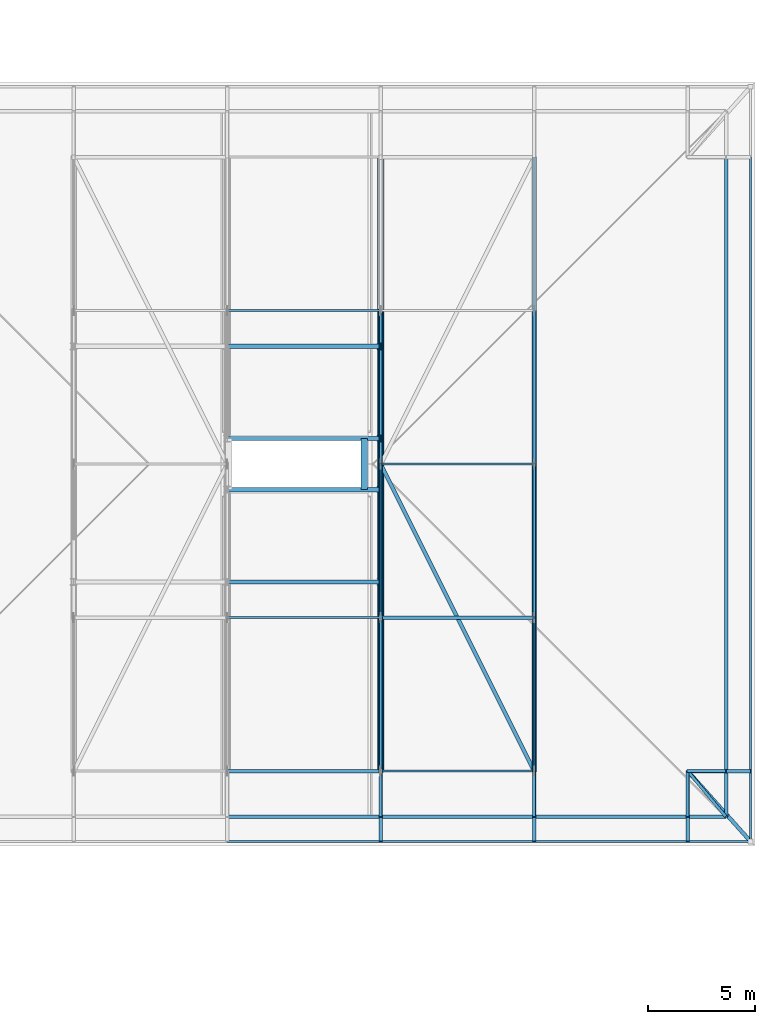
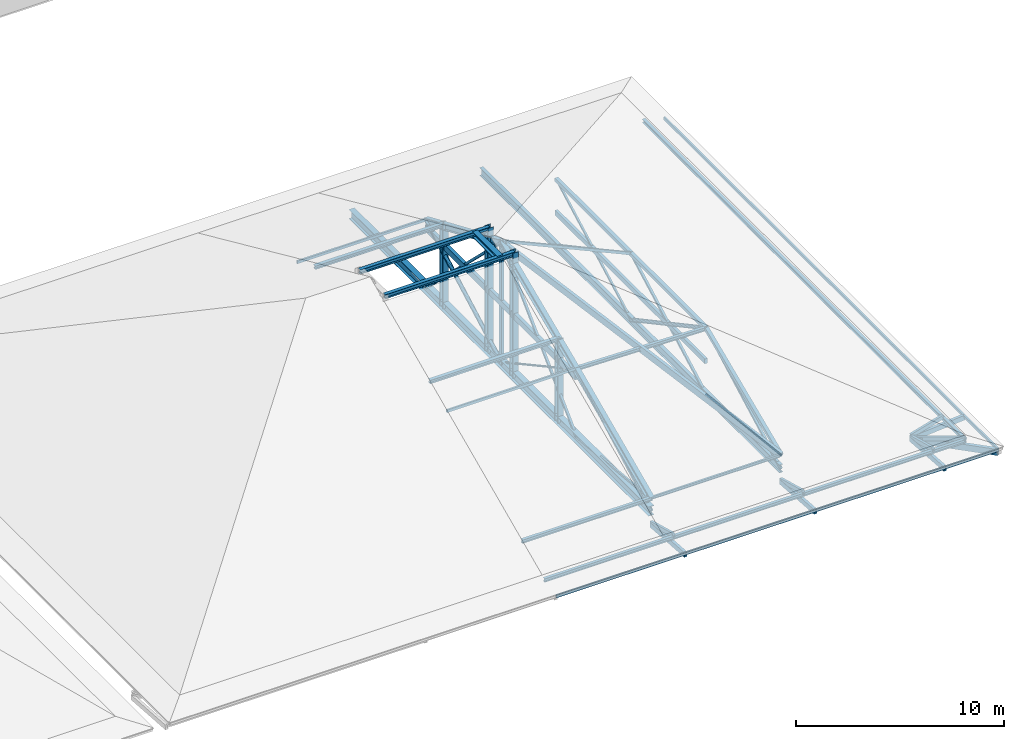
# One storey, part 36 of 100: 55 members, 6 beams.
"""IFC4 building model written with IfcOpenShell, lengths in metres."""

from ifc_helpers import new_model, si_unit, direction, frame, origin, origin_2d, place, context, subcontext, project, spatial, rectangle, hollow_rectangle, hollow_circle, i_section, extrude, material, material_profile, profile_set, type_object, element, save


model = new_model("IFC4")

# Units and contexts
model_context = context("Model", 3, precision=1e-05, world=origin(), true_north=direction((0.0, 1.0)))
body_context = subcontext(model_context, "Body", "Model", "MODEL_VIEW")
ifc_project = project(units=[si_unit("LENGTHUNIT", "METRE"), si_unit("AREAUNIT", "SQUARE_METRE"), si_unit("VOLUMEUNIT", "CUBIC_METRE"), si_unit("PLANEANGLEUNIT", "RADIAN"), si_unit("MASSUNIT", "GRAM", prefix="KILO")], contexts=[model_context])

# Site, building, storey
site_placement = place(None, origin())
site = spatial("IfcSite", under=ifc_project, at=site_placement, CompositionType="ELEMENT")
building_placement = place(site_placement, origin())
building = spatial("IfcBuilding", under=site, at=building_placement, Name="Steenspoor Specialist Clinic", CompositionType="ELEMENT")
storey_placement = place(building_placement, frame((0.0, 0.0, 9.0)))
storey = spatial("IfcBuildingStorey", under=building, at=storey_placement, Name="L02", CompositionType="ELEMENT", Elevation=9.0)

# Beams
ifc_material_1 = material(Name="Steel A992 Grade 50", Category="steel")
ifc_material_profile_1 = material_profile(ifc_material_1, i_section(OverallWidth=0.2041015625, OverallDepth=0.2060546875, WebThickness=0.0078125, FlangeThickness=0.0126953125, at=origin_2d()), Name="W200X52")
ifc_profile_set_1 = profile_set([ifc_material_profile_1], Name="Steel A992 Grade 50")
beam_type_1 = type_object("IfcBeamType", Name="BM-ST-W200X52", PredefinedType="JOIST", material=ifc_profile_set_1)
for number, where, z_axis, x_axis, name in (
    (1, (139.60009765625, 21.924072265625, 5.035400390625), (1.0, 0.0, 0.0), (0.0, 1.0, 0.0), "Roof Sub-Facet Bearer V2 M S"),
    (2, (139.60009765625, 32.97607421875, 5.035400390625), (1.0, 0.0, 0.0), (0.0, 1.0, 0.0), "Roof Sub-Facet Bearer V2 M N"),
):
    element("IfcBeam", number, at=place(storey_placement, frame(where, z_axis=z_axis, x_axis=x_axis)), inside=storey, type_object=beam_type_1, Name=name, PredefinedType="JOIST", context=body_context, shape_type="SweptSolid", body=[
        extrude(i_section(OverallWidth=0.2041015625, OverallDepth=0.2060546875, WebThickness=0.0078125, FlangeThickness=0.0126953125, at=origin_2d()), origin(), (0.0, 0.0, 1.0), 7.199951171875),
    ])
ifc_material_profile_2 = material_profile(ifc_material_1, i_section(OverallWidth=0.202880859375, OverallDepth=0.251953125, WebThickness=0.008056640625, FlangeThickness=0.013427734375, at=origin_2d()), Name="W250X58")
ifc_profile_set_2 = profile_set([ifc_material_profile_2], Name="Steel A992 Grade 50")
beam_type_2 = type_object("IfcBeamType", Name="BM-ST-W250X58", PredefinedType="JOIST", material=ifc_profile_set_2)
for number, where, z_axis, x_axis, name in (
    (3, (139.60009765625, 26.25, 7.4140625), (1.0, 0.0, 0.0), (0.0, 1.0, 0.0), "Roof Curb Trimmer Beam V2 1"),
    (4, (139.60009765625, 28.64990234375, 7.4140625), (1.0, 0.0, 0.0), (0.0, 1.0, 0.0), "Roof Curb Trimmer Beam V2 2"),
):
    element("IfcBeam", number, at=place(storey_placement, frame(where, z_axis=z_axis, x_axis=x_axis)), inside=storey, type_object=beam_type_2, Name=name, PredefinedType="JOIST", context=body_context, shape_type="SweptSolid", body=[
        extrude(i_section(OverallWidth=0.202880859375, OverallDepth=0.251953125, WebThickness=0.008056640625, FlangeThickness=0.013427734375, at=origin_2d()), origin(), (0.0, 0.0, 1.0), 7.199951171875),
    ])
ifc_material_profile_3 = material_profile(ifc_material_1, i_section(OverallWidth=0.193115234375, OverallDepth=0.466064453125, WebThickness=0.011474609375, FlangeThickness=0.01904296875, at=origin_2d()), Name="W460X97")
ifc_profile_set_3 = profile_set([ifc_material_profile_3], Name="Steel A992 Grade 50")
beam_type_3 = type_object("IfcBeamType", Name="BM-ST-W460X97", PredefinedType="BEAM", material=ifc_profile_set_3)
beam_1_placement = place(storey_placement, frame((154.0, 13.050048828125, 0.2529296875), z_axis=(0.0, 1.0, 0.0), x_axis=(-1.0, 0.0, 0.0)))
element("IfcBeam", 5, at=beam_1_placement, inside=storey, type_object=beam_type_3, Name="ROOF TRUSS Bottom Tie Chord V2 6", PredefinedType="BEAM", context=body_context, shape_type="SweptSolid", body=[
    extrude(i_section(OverallWidth=0.193115234375, OverallDepth=0.466064453125, WebThickness=0.011474609375, FlangeThickness=0.01904296875, at=origin_2d()), origin(), (0.0, 0.0, 1.0), 28.800048828125),
])
ifc_material_profile_4 = material_profile(ifc_material_1, i_section(OverallWidth=0.31201171875, OverallDepth=0.54296875, WebThickness=0.0126953125, FlangeThickness=0.020263671875, at=origin_2d()), Name="W530X150")
ifc_profile_set_4 = profile_set([ifc_material_profile_4], Name="Steel A992 Grade 50")
beam_type_4 = type_object("IfcBeamType", Name="BM-ST-W530X150", PredefinedType="BEAM", material=ifc_profile_set_4)
beam_2_placement = place(storey_placement, frame((146.800048828125, 13.050048828125, 0.29150390625), z_axis=(0.0, 1.0, 0.0), x_axis=(-1.0, 0.0, 0.0)))
element("IfcBeam", 6, at=beam_2_placement, inside=storey, type_object=beam_type_4, Name="ROOF TRUSS Bottom Tie Chord V2 5", PredefinedType="BEAM", context=body_context, shape_type="SweptSolid", body=[
    extrude(i_section(OverallWidth=0.31201171875, OverallDepth=0.54296875, WebThickness=0.0126953125, FlangeThickness=0.020263671875, at=origin_2d()), origin(), (0.0, 0.0, 1.0), 28.800048828125),
])

# Members
ifc_material_2 = material(Name="Steel A500 Grade C", Category="steel")
ifc_material_profile_5 = material_profile(ifc_material_2, hollow_circle(Radius=0.084228515625, WallThickness=0.007080078125, at=origin_2d()), Name="CHS168X7.1")
ifc_profile_set_5 = profile_set([ifc_material_profile_5], Name="Steel A500 Grade C")
member_type_1 = type_object("IfcMemberType", Name="MEM-BRACE-CHS168", PredefinedType="BRACE", material=ifc_profile_set_5)
member_1_placement = place(storey_placement, frame((154.0, 27.449951171875, 4.133056640625), z_axis=(0.0, 0.880306187088, -0.474405962205), x_axis=(-1.0, 0.0, 0.0)))
element("IfcMember", 7, at=member_1_placement, inside=storey, type_object=member_type_1, Name="ROOF TRUSS Web Brace V2 6.3", PredefinedType="BRACE", context=body_context, shape_type="SweptSolid", body=[
    extrude(hollow_circle(Radius=0.084228515625, WallThickness=0.007080078125, at=origin_2d()), origin(), (0.0, 0.0, 1.0), 8.178955078125),
])
ifc_material_profile_6 = material_profile(ifc_material_2, hollow_rectangle(XDim=0.126953125, YDim=0.126953125, WallThickness=0.0087890625, at=origin_2d()), Name="HSS127X127X9.5")
ifc_profile_set_6 = profile_set([ifc_material_profile_6], Name="Steel A500 Grade C")
member_type_2 = type_object("IfcMemberType", Name="MEM-BRACE-H127A", PredefinedType="BRACE", material=ifc_profile_set_6)
member_2_placement = place(storey_placement, frame((146.800048828125, 20.25, 0.29150390625), z_axis=(0.0, 0.716215270375, 0.697879421162), x_axis=(-1.0, 0.0, 0.0)))
element("IfcMember", 8, at=member_2_placement, inside=storey, type_object=member_type_2, Name="ROOF TRUSS Web Brace V2 5.2", PredefinedType="BRACE", context=body_context, shape_type="SweptSolid", body=[
    extrude(hollow_rectangle(XDim=0.126953125, YDim=0.126953125, WallThickness=0.0087890625, at=origin_2d()), origin(), (0.0, 0.0, 1.0), 10.052734375),
])
member_3_placement = place(storey_placement, frame((154.0, 13.050048828125, 0.2529296875), z_axis=(0.0, 0.880306187088, 0.474405962205), x_axis=(-1.0, 0.0, 0.0)))
element("IfcMember", 9, at=member_3_placement, inside=storey, type_object=member_type_2, Name="ROOF TRUSS Web Brace V2 6.1", PredefinedType="BRACE", context=body_context, shape_type="SweptSolid", body=[
    extrude(hollow_rectangle(XDim=0.126953125, YDim=0.126953125, WallThickness=0.0087890625, at=origin_2d()), origin(), (0.0, 0.0, 1.0), 8.178955078125),
])
ifc_material_profile_7 = material_profile(ifc_material_2, hollow_rectangle(XDim=0.126953125, YDim=0.126953125, WallThickness=0.005859375, at=origin_2d()), Name="HSS127X127X6.4")
ifc_profile_set_7 = profile_set([ifc_material_profile_7], Name="Steel A500 Grade C")
member_type_3 = type_object("IfcMemberType", Name="MEM-BRACE-H127B", PredefinedType="BRACE", material=ifc_profile_set_7)
member_4_placement = place(storey_placement, frame((146.800048828125, 27.449951171875, 7.30712890625), z_axis=(0.0, 0.716215270375, -0.697879421162), x_axis=(-1.0, 0.0, 0.0)))
element("IfcMember", 10, at=member_4_placement, inside=storey, type_object=member_type_3, Name="ROOF TRUSS Web Brace V2 5.3", PredefinedType="BRACE", context=body_context, shape_type="SweptSolid", body=[
    extrude(hollow_rectangle(XDim=0.126953125, YDim=0.126953125, WallThickness=0.005859375, at=origin_2d()), origin(), (0.0, 0.0, 1.0), 10.052734375),
])
member_5_placement = place(storey_placement, frame((154.0, 20.25, 0.2529296875), z_axis=(0.0, 0.880306187088, 0.474405962205), x_axis=(-1.0, 0.0, 0.0)))
element("IfcMember", 11, at=member_5_placement, inside=storey, type_object=member_type_3, Name="ROOF TRUSS Web Brace V2 6.2", PredefinedType="BRACE", context=body_context, shape_type="SweptSolid", body=[
    extrude(hollow_rectangle(XDim=0.126953125, YDim=0.126953125, WallThickness=0.005859375, at=origin_2d()), origin(), (0.0, 0.0, 1.0), 8.178955078125),
])
ifc_material_profile_8 = material_profile(ifc_material_2, hollow_rectangle(XDim=0.15234375, YDim=0.15234375, WallThickness=0.0087890625, at=origin_2d()), Name="HSS152X152X9.5")
ifc_profile_set_8 = profile_set([ifc_material_profile_8], Name="Steel A500 Grade C")
member_type_4 = type_object("IfcMemberType", Name="MEM-BRACE-H152", PredefinedType="BRACE", material=ifc_profile_set_8)
member_6_placement = place(storey_placement, frame((146.800048828125, 13.050048828125, 0.29150390625), z_axis=(0.0, 0.877933113951, 0.478783299029), x_axis=(-1.0, 0.0, 0.0)))
element("IfcMember", 12, at=member_6_placement, inside=storey, type_object=member_type_4, Name="ROOF TRUSS Web Brace V2 5.1", PredefinedType="BRACE", context=body_context, shape_type="SweptSolid", body=[
    extrude(hollow_rectangle(XDim=0.15234375, YDim=0.15234375, WallThickness=0.0087890625, at=origin_2d()), origin(), (0.0, 0.0, 1.0), 8.200927734375),
])
ifc_material_profile_9 = material_profile(ifc_material_2, hollow_rectangle(XDim=0.203125, YDim=0.203125, WallThickness=0.01171875, at=origin_2d()), Name="HSS203X203X12.7")
ifc_profile_set_9 = profile_set([ifc_material_profile_9], Name="Steel A500 Grade C")
member_type_5 = type_object("IfcMemberType", Name="MEM-CHORD-H203", PredefinedType="CHORD", material=ifc_profile_set_9)
member_7_placement = place(storey_placement, frame((154.0, 13.050048828125, 1.0439453125), z_axis=(0.0, 0.918986999003, 0.394287833522), x_axis=(-1.0, 0.0, 0.0)))
element("IfcMember", 13, at=member_7_placement, inside=storey, type_object=member_type_5, Name="ROOF TRUSS Top Chord V2 6.1", PredefinedType="CHORD", context=body_context, shape_type="SweptSolid", body=[
    extrude(hollow_rectangle(XDim=0.203125, YDim=0.203125, WallThickness=0.01171875, at=origin_2d()), origin(), (0.0, 0.0, 1.0), 7.834716796875),
])
for number, where, z_axis, x_axis, name in (
    (14, (154.0, 20.25, 4.133056640625), (0.0, 1.0, 0.0), (-1.0, 0.0, 0.0), "ROOF TRUSS Top Chord V2 6.2"),
    (15, (154.0, 27.449951171875, 4.133056640625), (0.0, 1.0, 0.0), (-1.0, 0.0, 0.0), "ROOF TRUSS Top Chord V2 6.3"),
):
    element("IfcMember", number, at=place(storey_placement, frame(where, z_axis=z_axis, x_axis=x_axis)), inside=storey, type_object=member_type_5, Name=name, PredefinedType="CHORD", context=body_context, shape_type="SweptSolid", body=[
        extrude(hollow_rectangle(XDim=0.203125, YDim=0.203125, WallThickness=0.01171875, at=origin_2d()), origin(), (0.0, 0.0, 1.0), 7.199951171875),
    ])
ifc_material_profile_10 = material_profile(ifc_material_1, i_section(OverallWidth=0.304931640625, OverallDepth=0.30810546875, WebThickness=0.010009765625, FlangeThickness=0.015380859375, at=origin_2d()), Name="W310X97")
ifc_profile_set_10 = profile_set([ifc_material_profile_10], Name="Steel A992 Grade 50")
member_type_6 = type_object("IfcMemberType", Name="MEM-CHORD-W310", PredefinedType="CHORD", material=ifc_profile_set_10)
for number, where, z_axis, x_axis, name in (
    (16, (146.800048828125, 26.25, 0.199951171875), (0.0, 0.0, 1.0), (1.0, 0.0, 0.0), "ROOF TRUSS Web Post Curb V2 1R"),
    (17, (146.800048828125, 28.64990234375, 0.199951171875), (0.0, 0.0, 1.0), (1.0, 0.0, 0.0), "ROOF TRUSS Web Post Curb V2 2R"),
):
    element("IfcMember", number, at=place(storey_placement, frame(where, z_axis=z_axis, x_axis=x_axis)), inside=storey, type_object=member_type_6, Name=name, PredefinedType="CHORD", context=body_context, shape_type="SweptSolid", body=[
        extrude(i_section(OverallWidth=0.304931640625, OverallDepth=0.30810546875, WebThickness=0.010009765625, FlangeThickness=0.015380859375, at=origin_2d()), origin(), (0.0, 0.0, 1.0), 7.333984375),
    ])
member_8_placement = place(storey_placement, frame((146.02001953125, 26.25, 7.385986328125), z_axis=(0.0, 1.0, 0.0), x_axis=(-1.0, 0.0, 0.0)))
element("IfcMember", 18, at=member_8_placement, inside=storey, type_object=member_type_6, Name="ROOF TRUSS Curb Cross Chord V2 2", PredefinedType="CHORD", context=body_context, shape_type="SweptSolid", body=[
    extrude(i_section(OverallWidth=0.304931640625, OverallDepth=0.30810546875, WebThickness=0.010009765625, FlangeThickness=0.015380859375, at=origin_2d()), origin(), (0.0, 0.0, 1.0), 2.39990234375),
])
for number, where, z_axis, x_axis, name in (
    (19, (146.800048828125, 21.924072265625, 0.179931640625), (0.0, 0.0, 1.0), (1.0, 0.0, 0.0), "ROOF TRUSS Web Post Sub-Facet V2 MSR"),
    (20, (146.800048828125, 32.97607421875, 0.179931640625), (0.0, 0.0, 1.0), (1.0, 0.0, 0.0), "ROOF TRUSS Web Post Sub-Facet V2 MNR"),
):
    element("IfcMember", number, at=place(storey_placement, frame(where, z_axis=z_axis, x_axis=x_axis)), inside=storey, type_object=member_type_6, Name=name, PredefinedType="CHORD", context=body_context, shape_type="SweptSolid", body=[
        extrude(i_section(OverallWidth=0.304931640625, OverallDepth=0.30810546875, WebThickness=0.010009765625, FlangeThickness=0.015380859375, at=origin_2d()), origin(), (0.0, 0.0, 1.0), 4.935546875),
    ])
ifc_material_profile_11 = material_profile(ifc_material_1, i_section(OverallWidth=0.257080078125, OverallDepth=0.363037109375, WebThickness=0.012939453125, FlangeThickness=0.021728515625, at=origin_2d()), Name="W360X122")
ifc_profile_set_11 = profile_set([ifc_material_profile_11], Name="Steel A992 Grade 50")
member_type_7 = type_object("IfcMemberType", Name="MEM-CHORD-W360", PredefinedType="CHORD", material=ifc_profile_set_11)
member_9_placement = place(storey_placement, frame((146.800048828125, 13.050048828125, 0.97119140625), z_axis=(0.0, 0.911596750852, 0.411085591861), x_axis=(-1.0, 0.0, 0.0)))
element("IfcMember", 21, at=member_9_placement, inside=storey, type_object=member_type_7, Name="ROOF TRUSS Top Chord V2 5.1", PredefinedType="CHORD", context=body_context, shape_type="SweptSolid", body=[
    extrude(i_section(OverallWidth=0.257080078125, OverallDepth=0.363037109375, WebThickness=0.012939453125, FlangeThickness=0.021728515625, at=origin_2d()), origin(), (0.0, 0.0, 1.0), 7.898193359375),
])
for number, where, z_axis, x_axis, name in (
    (22, (146.800048828125, 20.25, 4.218017578125), (0.0, 0.918986999003, 0.394287833522), (-1.0, 0.0, 0.0), "ROOF TRUSS Top Chord V2 5.2"),
    (23, (146.800048828125, 27.449951171875, 7.30712890625), (0.0, 0.918986999003, -0.394287833522), (-1.0, 0.0, 0.0), "ROOF TRUSS Top Chord V2 5.3"),
):
    element("IfcMember", number, at=place(storey_placement, frame(where, z_axis=z_axis, x_axis=x_axis)), inside=storey, type_object=member_type_7, Name=name, PredefinedType="CHORD", context=body_context, shape_type="SweptSolid", body=[
        extrude(i_section(OverallWidth=0.257080078125, OverallDepth=0.363037109375, WebThickness=0.012939453125, FlangeThickness=0.021728515625, at=origin_2d()), origin(), (0.0, 0.0, 1.0), 7.834716796875),
    ])
ifc_material_profile_12 = material_profile(ifc_material_2, hollow_rectangle(XDim=0.1015625, YDim=0.15234375, WallThickness=0.005859375, at=origin_2d()), Name="HSS152X102X6.4")
ifc_profile_set_12 = profile_set([ifc_material_profile_12], Name="Steel A500 Grade C")
member_type_8 = type_object("IfcMemberType", Name="MEM-PURLIN-H152", PredefinedType="PURLIN", material=ifc_profile_set_12)
for number, where, z_axis, x_axis, name in (
    (24, (139.60009765625, 9.75, -0.19482421875), (1.0, 0.0, 0.0), (0.0, 1.0, 0.0), "ROOF TRUSS Eave Fascia 96"),
    (25, (146.800048828125, 9.75, -0.19482421875), (1.0, 0.0, 0.0), (0.0, 1.0, 0.0), "ROOF TRUSS Eave Fascia 97"),
    (26, (154.0, 9.75, -0.19482421875), (1.0, 0.0, 0.0), (0.0, 1.0, 0.0), "ROOF TRUSS Eave Fascia 98"),
):
    element("IfcMember", number, at=place(storey_placement, frame(where, z_axis=z_axis, x_axis=x_axis)), inside=storey, type_object=member_type_8, Name=name, PredefinedType="PURLIN", context=body_context, shape_type="SweptSolid", body=[
        extrude(hollow_rectangle(XDim=0.1015625, YDim=0.15234375, WallThickness=0.005859375, at=origin_2d()), origin(), (0.0, 0.0, 1.0), 7.199951171875),
    ])
member_10_placement = place(storey_placement, frame((161.199951171875, 9.75, -0.19482421875), z_axis=(1.0, 0.0, 0.0), x_axis=(0.0, 1.0, 0.0)))
element("IfcMember", 27, at=member_10_placement, inside=storey, type_object=member_type_8, Name="ROOF TRUSS Eave Fascia 99", PredefinedType="PURLIN", context=body_context, shape_type="SweptSolid", body=[
    extrude(hollow_rectangle(XDim=0.1015625, YDim=0.15234375, WallThickness=0.005859375, at=origin_2d()), origin(), (0.0, 0.0, 1.0), 2.949951171875),
])
member_11_placement = place(storey_placement, frame((164.14990234375, 9.75, -0.19482421875), z_axis=(0.0, 1.0, 0.0), x_axis=(-1.0, 0.0, 0.0)))
element("IfcMember", 28, at=member_11_placement, inside=storey, type_object=member_type_8, Name="ROOF TRUSS Eave Fascia 106", PredefinedType="PURLIN", context=body_context, shape_type="SweptSolid", body=[
    extrude(hollow_rectangle(XDim=0.1015625, YDim=0.15234375, WallThickness=0.005859375, at=origin_2d()), origin(), (0.0, 0.0, 1.0), 3.300048828125),
])
member_12_placement = place(storey_placement, frame((164.14990234375, 13.050048828125, -0.19482421875), z_axis=(0.0, 1.0, 0.0), x_axis=(-1.0, 0.0, 0.0)))
element("IfcMember", 29, at=member_12_placement, inside=storey, type_object=member_type_8, Name="ROOF TRUSS Eave Fascia 107", PredefinedType="PURLIN", context=body_context, shape_type="SweptSolid", body=[
    extrude(hollow_rectangle(XDim=0.1015625, YDim=0.15234375, WallThickness=0.005859375, at=origin_2d()), origin(), (0.0, 0.0, 1.0), 28.800048828125),
])
for number, where, z_axis, x_axis, name in (
    (30, (139.60009765625, 20.25, 4.307373046875), (1.0, 0.0, 0.0), (0.0, 1.0, 0.0), "ROOF TRUSS Purlin 133"),
    (31, (139.60009765625, 34.64990234375, 4.307373046875), (1.0, 0.0, 0.0), (0.0, 1.0, 0.0), "ROOF TRUSS Purlin 134"),
):
    element("IfcMember", number, at=place(storey_placement, frame(where, z_axis=z_axis, x_axis=x_axis)), inside=storey, type_object=member_type_8, Name=name, PredefinedType="PURLIN", context=body_context, shape_type="SweptSolid", body=[
        extrude(hollow_rectangle(XDim=0.1015625, YDim=0.15234375, WallThickness=0.005859375, at=origin_2d()), origin(), (0.0, 0.0, 1.0), 7.199951171875),
    ])
member_13_placement = place(storey_placement, frame((146.800048828125, 27.449951171875, 7.396484375), z_axis=(0.911585166911, 0.0, -0.411111278692), x_axis=(0.0, 1.0, 0.0)))
element("IfcMember", 32, at=member_13_placement, inside=storey, type_object=member_type_8, Name="ROOF TRUSS Purlin 138", PredefinedType="PURLIN", context=body_context, shape_type="SweptSolid", body=[
    extrude(hollow_rectangle(XDim=0.1015625, YDim=0.15234375, WallThickness=0.005859375, at=origin_2d()), origin(), (0.0, 0.0, 1.0), 7.898193359375),
])
ifc_material_profile_13 = material_profile(ifc_material_1, i_section(OverallWidth=0.10205078125, OverallDepth=0.159912109375, WebThickness=0.006591796875, FlangeThickness=0.01025390625, at=origin_2d()), Name="W150X24")
ifc_profile_set_13 = profile_set([ifc_material_profile_13], Name="Steel A992 Grade 50")
member_type_9 = type_object("IfcMemberType", Name="MEM-PURLIN-W150", PredefinedType="PURLIN", material=ifc_profile_set_13)
member_14_placement = place(storey_placement, frame((146.800048828125, 13.050048828125, 1.056640625), z_axis=(1.0, 0.0, 0.0), x_axis=(0.0, 1.0, 0.0)))
element("IfcMember", 33, at=member_14_placement, inside=storey, type_object=member_type_9, Name="ROOF TRUSS Purlin 136", PredefinedType="PURLIN", context=body_context, shape_type="SweptSolid", body=[
    extrude(i_section(OverallWidth=0.10205078125, OverallDepth=0.159912109375, WebThickness=0.006591796875, FlangeThickness=0.01025390625, at=origin_2d()), origin(), (0.0, 0.0, 1.0), 7.199951171875),
])
ifc_material_profile_14 = material_profile(ifc_material_1, i_section(OverallWidth=0.1650390625, OverallDepth=0.200927734375, WebThickness=0.006103515625, FlangeThickness=0.01025390625, at=origin_2d()), Name="W200X36")
ifc_profile_set_14 = profile_set([ifc_material_profile_14], Name="Steel A992 Grade 50")
member_type_10 = type_object("IfcMemberType", Name="MEM-PURLIN-W200", PredefinedType="PURLIN", material=ifc_profile_set_14)
for number, where, z_axis, x_axis, name in (
    (34, (139.60009765625, 10.89990234375, 0.068603515625), (1.0, 0.0, 0.0), (0.0, 1.0, 0.0), "ROOF TRUSS Knuckle Purlin 113"),
    (35, (146.800048828125, 10.89990234375, 0.068603515625), (1.0, 0.0, 0.0), (0.0, 1.0, 0.0), "ROOF TRUSS Knuckle Purlin 115"),
    (36, (154.0, 10.89990234375, 0.068603515625), (1.0, 0.0, 0.0), (0.0, 1.0, 0.0), "ROOF TRUSS Knuckle Purlin 117"),
):
    element("IfcMember", number, at=place(storey_placement, frame(where, z_axis=z_axis, x_axis=x_axis)), inside=storey, type_object=member_type_10, Name=name, PredefinedType="PURLIN", context=body_context, shape_type="SweptSolid", body=[
        extrude(i_section(OverallWidth=0.1650390625, OverallDepth=0.200927734375, WebThickness=0.006103515625, FlangeThickness=0.01025390625, at=origin_2d()), origin(), (0.0, 0.0, 1.0), 7.199951171875),
    ])
member_15_placement = place(storey_placement, frame((161.199951171875, 10.89990234375, 0.068603515625), z_axis=(1.0, 0.0, 0.0), x_axis=(0.0, 1.0, 0.0)))
element("IfcMember", 37, at=member_15_placement, inside=storey, type_object=member_type_10, Name="ROOF TRUSS Knuckle Purlin 119", PredefinedType="PURLIN", context=body_context, shape_type="SweptSolid", body=[
    extrude(i_section(OverallWidth=0.1650390625, OverallDepth=0.200927734375, WebThickness=0.006103515625, FlangeThickness=0.01025390625, at=origin_2d()), origin(), (0.0, 0.0, 1.0), 1.800048828125),
])
member_16_placement = place(storey_placement, frame((163.0, 10.89990234375, 0.068603515625), z_axis=(0.0, 1.0, 0.0), x_axis=(-1.0, 0.0, 0.0)))
element("IfcMember", 38, at=member_16_placement, inside=storey, type_object=member_type_10, Name="ROOF TRUSS Knuckle Purlin 124", PredefinedType="PURLIN", context=body_context, shape_type="SweptSolid", body=[
    extrude(i_section(OverallWidth=0.1650390625, OverallDepth=0.200927734375, WebThickness=0.006103515625, FlangeThickness=0.01025390625, at=origin_2d()), origin(), (0.0, 0.0, 1.0), 2.150146484375),
])
member_17_placement = place(storey_placement, frame((163.0, 13.050048828125, 0.068603515625), z_axis=(0.0, 1.0, 0.0), x_axis=(-1.0, 0.0, 0.0)))
element("IfcMember", 39, at=member_17_placement, inside=storey, type_object=member_type_10, Name="ROOF TRUSS Knuckle Purlin 125", PredefinedType="PURLIN", context=body_context, shape_type="SweptSolid", body=[
    extrude(i_section(OverallWidth=0.1650390625, OverallDepth=0.200927734375, WebThickness=0.006103515625, FlangeThickness=0.01025390625, at=origin_2d()), origin(), (0.0, 0.0, 1.0), 28.800048828125),
])
member_18_placement = place(storey_placement, frame((139.60009765625, 13.050048828125, 1.0361328125), z_axis=(1.0, 0.0, 0.0), x_axis=(0.0, 1.0, 0.0)))
element("IfcMember", 40, at=member_18_placement, inside=storey, type_object=member_type_10, Name="ROOF TRUSS Purlin 132", PredefinedType="PURLIN", context=body_context, shape_type="SweptSolid", body=[
    extrude(i_section(OverallWidth=0.1650390625, OverallDepth=0.200927734375, WebThickness=0.006103515625, FlangeThickness=0.01025390625, at=origin_2d()), origin(), (0.0, 0.0, 1.0), 7.199951171875),
])
member_19_placement = place(storey_placement, frame((146.800048828125, 20.25, 4.282958984375), z_axis=(0.999760172055, 0.0, -0.021899734534), x_axis=(0.0, 1.0, 0.0)))
element("IfcMember", 41, at=member_19_placement, inside=storey, type_object=member_type_10, Name="ROOF TRUSS Purlin 137", PredefinedType="PURLIN", context=body_context, shape_type="SweptSolid", body=[
    extrude(i_section(OverallWidth=0.1650390625, OverallDepth=0.200927734375, WebThickness=0.006103515625, FlangeThickness=0.01025390625, at=origin_2d()), origin(), (0.0, 0.0, 1.0), 7.20166015625),
])
ifc_material_3 = material(Name="Glulam GL28h", Category="wood")
ifc_material_profile_15 = material_profile(ifc_material_3, rectangle(XDim=0.139892578125, YDim=0.219970703125, at=origin_2d()), Name="GL28H-140X220")
ifc_profile_set_15 = profile_set([ifc_material_profile_15], Name="Glulam GL28h")
member_type_11 = type_object("IfcMemberType", Name="MEM-RAFTER-GL220", PredefinedType="RAFTER", material=ifc_profile_set_15)
for number, where, z_axis, x_axis, name in (
    (42, (146.800048828125, 13.050048828125, -0.404296875), (0.0, -0.965398455833, 0.260779258139), (1.0, 0.0, 0.0), "ROOF TRUSS Knuckle Rafter V2 56"),
    (43, (154.0, 13.050048828125, -0.404296875), (0.0, -0.965398455833, 0.260779258139), (1.0, 0.0, 0.0), "ROOF TRUSS Knuckle Rafter V2 60"),
    (44, (161.199951171875, 13.050048828125, -0.404296875), (0.0, -0.965398455833, 0.260779258139), (1.0, 0.0, 0.0), "ROOF TRUSS Knuckle Rafter V2 64"),
):
    element("IfcMember", number, at=place(storey_placement, frame(where, z_axis=z_axis, x_axis=x_axis)), inside=storey, type_object=member_type_11, Name=name, PredefinedType="RAFTER", context=body_context, shape_type="SweptSolid", body=[
        extrude(rectangle(XDim=0.139892578125, YDim=0.219970703125, at=origin_2d()), origin(), (0.0, 0.0, 1.0), 2.227294921875),
    ])
member_20_placement = place(storey_placement, frame((161.199951171875, 13.050048828125, -0.331298828125), z_axis=(0.962434808495, 0.0, 0.271512871514), x_axis=(0.0, 1.0, 0.0)))
element("IfcMember", 45, at=member_20_placement, inside=storey, type_object=member_type_11, Name="ROOF TRUSS Knuckle Rafter V2 70", PredefinedType="RAFTER", context=body_context, shape_type="SweptSolid", body=[
    extrude(rectangle(XDim=0.139892578125, YDim=0.219970703125, at=origin_2d()), origin(), (0.0, 0.0, 1.0), 1.870361328125),
])
member_21_placement = place(storey_placement, frame((161.199951171875, 13.050048828125, -0.4921875), z_axis=(0.624412477254, -0.74585659666, 0.23196334941), x_axis=(0.76677062859, 0.641921181401, 0.0)))
element("IfcMember", 46, at=member_21_placement, inside=storey, type_object=member_type_11, Name="ROOF TRUSS Corner Knuckle Rafter V2 76", PredefinedType="RAFTER", context=body_context, shape_type="SweptSolid", body=[
    extrude(rectangle(XDim=0.139892578125, YDim=0.219970703125, at=origin_2d()), origin(), (0.0, 0.0, 1.0), 2.8828125),
])
member_22_placement = place(storey_placement, frame((146.800048828125, 27.449951171875, 0.179931640625), z_axis=(0.0, 0.0, 1.0), x_axis=(1.0, 0.0, 0.0)))
element("IfcMember", 47, at=member_22_placement, inside=storey, type_object=member_type_11, Name="ROOF TRUSS Hip King Post V2 E", PredefinedType="RAFTER", context=body_context, shape_type="SweptSolid", body=[
    extrude(rectangle(XDim=0.139892578125, YDim=0.219970703125, at=origin_2d()), origin(), (0.0, 0.0, 1.0), 7.167236328125),
])
ifc_material_profile_16 = material_profile(ifc_material_3, rectangle(XDim=0.159912109375, YDim=0.280029296875, at=origin_2d()), Name="GL28H-160X280")
ifc_profile_set_16 = profile_set([ifc_material_profile_16], Name="Glulam GL28h")
member_type_12 = type_object("IfcMemberType", Name="MEM-RAFTER-GL280", PredefinedType="RAFTER", material=ifc_profile_set_16)
for number, where, z_axis, x_axis, name in (
    (48, (146.800048828125, 13.050048828125, -0.5), (0.0, -0.997518653982, 0.070402663009), (1.0, 0.0, 0.0), "ROOF TRUSS Flared Eave Glulam Outrigger V2 55"),
    (49, (154.0, 13.050048828125, -0.5), (0.0, -0.997518653982, 0.070402663009), (1.0, 0.0, 0.0), "ROOF TRUSS Flared Eave Glulam Outrigger V2 59"),
    (50, (161.199951171875, 13.050048828125, -0.5), (0.0, -0.997518653982, 0.070402663009), (1.0, 0.0, 0.0), "ROOF TRUSS Flared Eave Glulam Outrigger V2 63"),
):
    element("IfcMember", number, at=place(storey_placement, frame(where, z_axis=z_axis, x_axis=x_axis)), inside=storey, type_object=member_type_12, Name=name, PredefinedType="RAFTER", context=body_context, shape_type="SweptSolid", body=[
        extrude(rectangle(XDim=0.159912109375, YDim=0.280029296875, at=origin_2d()), origin(), (0.0, 0.0, 1.0), 3.308349609375),
    ])
member_23_placement = place(storey_placement, frame((161.199951171875, 13.050048828125, -0.5), z_axis=(0.996897637595, 0.0, 0.078708958559), x_axis=(0.0, 1.0, 0.0)))
element("IfcMember", 51, at=member_23_placement, inside=storey, type_object=member_type_12, Name="ROOF TRUSS Flared Eave Glulam Outrigger V2 69", PredefinedType="RAFTER", context=body_context, shape_type="SweptSolid", body=[
    extrude(rectangle(XDim=0.159912109375, YDim=0.280029296875, at=origin_2d()), origin(), (0.0, 0.0, 1.0), 2.959228515625),
])
member_24_placement = place(storey_placement, frame((154.0, 20.25, 2.192626953125), z_axis=(0.0, 1.0, 0.0), x_axis=(-1.0, 0.0, 0.0)))
element("IfcMember", 52, at=member_24_placement, inside=storey, type_object=member_type_12, Name="ROOF TRUSS Glulam Collar Rafter V2 6", PredefinedType="RAFTER", context=body_context, shape_type="SweptSolid", body=[
    extrude(rectangle(XDim=0.159912109375, YDim=0.280029296875, at=origin_2d()), origin(), (0.0, 0.0, 1.0), 14.39990234375),
])
ifc_material_profile_17 = material_profile(ifc_material_3, rectangle(XDim=0.179931640625, YDim=0.360107421875, at=origin_2d()), Name="GL28H-180X360")
ifc_profile_set_17 = profile_set([ifc_material_profile_17], Name="Glulam GL28h")
member_type_13 = type_object("IfcMemberType", Name="MEM-RAFTER-GL360", PredefinedType="RAFTER", material=ifc_profile_set_17)
member_25_placement = place(storey_placement, frame((161.199951171875, 13.050048828125, -0.5), z_axis=(0.665827583699, -0.744847426041, 0.043312131158), x_axis=(0.745547055346, 0.666452990289, 0.0)))
element("IfcMember", 53, at=member_25_placement, inside=storey, type_object=member_type_13, Name="ROOF TRUSS Corner Hip Outrigger V2 75", PredefinedType="RAFTER", context=body_context, shape_type="SweptSolid", body=[
    extrude(rectangle(XDim=0.179931640625, YDim=0.360107421875, at=origin_2d()), origin(), (0.0, 0.0, 1.0), 4.430419921875),
])
member_26_placement = place(storey_placement, frame((146.800048828125, 20.25, 3.798828125), z_axis=(0.0, 1.0, 0.0), x_axis=(-1.0, 0.0, 0.0)))
element("IfcMember", 54, at=member_26_placement, inside=storey, type_object=member_type_13, Name="ROOF TRUSS Glulam Collar Rafter V2 5", PredefinedType="RAFTER", context=body_context, shape_type="SweptSolid", body=[
    extrude(rectangle(XDim=0.179931640625, YDim=0.360107421875, at=origin_2d()), origin(), (0.0, 0.0, 1.0), 14.39990234375),
])
member_27_placement = place(storey_placement, frame((154.0, 13.050048828125, 1.0439453125), z_axis=(-0.416785605805, 0.833571211609, 0.36255867659), x_axis=(-0.894427191, -0.4472135955, 0.0)))
element("IfcMember", 55, at=member_27_placement, inside=storey, type_object=member_type_13, Name="ROOF TRUSS Hip Rafter V2 143", PredefinedType="RAFTER", context=body_context, shape_type="SweptSolid", body=[
    extrude(rectangle(XDim=0.179931640625, YDim=0.360107421875, at=origin_2d()), origin(), (0.0, 0.0, 1.0), 17.27490234375),
])
ifc_material_profile_18 = material_profile(ifc_material_2, hollow_circle(Radius=0.05712890625, WallThickness=0.006103515625, at=origin_2d()), Name="CHS114X6.0")
ifc_profile_set_18 = profile_set([ifc_material_profile_18], Name="Steel A500 Grade C")
member_type_14 = type_object("IfcMemberType", Name="MEM-STRUT-CHS114", PredefinedType="STRUT", material=ifc_profile_set_18)
member_28_placement = place(storey_placement, frame((146.800048828125, 20.25, 4.218017578125), z_axis=(0.0, 0.877933113951, -0.478783299029), x_axis=(-1.0, 0.0, 0.0)))
element("IfcMember", 56, at=member_28_placement, inside=storey, type_object=member_type_14, Name="ROOF TRUSS Web Strut V2 5.2", PredefinedType="STRUT", context=body_context, shape_type="SweptSolid", body=[
    extrude(hollow_circle(Radius=0.05712890625, WallThickness=0.006103515625, at=origin_2d()), origin(), (0.0, 0.0, 1.0), 8.200927734375),
])
member_29_placement = place(storey_placement, frame((154.0, 13.050048828125, 1.0439453125), z_axis=(0.0, 0.994019036864, -0.109206933622), x_axis=(-1.0, 0.0, 0.0)))
element("IfcMember", 57, at=member_29_placement, inside=storey, type_object=member_type_14, Name="ROOF TRUSS Web Strut V2 6.1", PredefinedType="STRUT", context=body_context, shape_type="SweptSolid", body=[
    extrude(hollow_circle(Radius=0.05712890625, WallThickness=0.006103515625, at=origin_2d()), origin(), (0.0, 0.0, 1.0), 7.2431640625),
])
ifc_material_profile_19 = material_profile(ifc_material_2, hollow_circle(Radius=0.109619140625, WallThickness=0.00830078125, at=origin_2d()), Name="CHS219X8.2")
ifc_profile_set_19 = profile_set([ifc_material_profile_19], Name="Steel A500 Grade C")
member_type_15 = type_object("IfcMemberType", Name="MEM-STRUT-CHS219", PredefinedType="STRUT", material=ifc_profile_set_19)
member_30_placement = place(storey_placement, frame((146.800048828125, 27.449951171875, 0.29150390625), z_axis=(0.0, 0.877933113951, 0.478783299029), x_axis=(-1.0, 0.0, 0.0)))
element("IfcMember", 58, at=member_30_placement, inside=storey, type_object=member_type_15, Name="ROOF TRUSS Web Strut V2 5.3", PredefinedType="STRUT", context=body_context, shape_type="SweptSolid", body=[
    extrude(hollow_circle(Radius=0.109619140625, WallThickness=0.00830078125, at=origin_2d()), origin(), (0.0, 0.0, 1.0), 8.200927734375),
])
member_31_placement = place(storey_placement, frame((154.0, 20.25, 4.133056640625), z_axis=(0.0, 0.880306187088, -0.474405962205), x_axis=(-1.0, 0.0, 0.0)))
element("IfcMember", 59, at=member_31_placement, inside=storey, type_object=member_type_15, Name="ROOF TRUSS Web Strut V2 6.2", PredefinedType="STRUT", context=body_context, shape_type="SweptSolid", body=[
    extrude(hollow_circle(Radius=0.109619140625, WallThickness=0.00830078125, at=origin_2d()), origin(), (0.0, 0.0, 1.0), 8.178955078125),
])
ifc_material_profile_20 = material_profile(ifc_material_2, hollow_rectangle(XDim=0.1015625, YDim=0.1015625, WallThickness=0.005859375, at=origin_2d()), Name="HSS102X102X6.4")
ifc_profile_set_20 = profile_set([ifc_material_profile_20], Name="Steel A500 Grade C")
member_type_16 = type_object("IfcMemberType", Name="MEM-STRUT-H102", PredefinedType="STRUT", material=ifc_profile_set_20)
member_32_placement = place(storey_placement, frame((146.800048828125, 13.050048828125, 0.97119140625), z_axis=(0.0, 0.995573723519, -0.093983833925), x_axis=(-1.0, 0.0, 0.0)))
element("IfcMember", 60, at=member_32_placement, inside=storey, type_object=member_type_16, Name="ROOF TRUSS Web Strut V2 5.1", PredefinedType="STRUT", context=body_context, shape_type="SweptSolid", body=[
    extrude(hollow_rectangle(XDim=0.1015625, YDim=0.1015625, WallThickness=0.005859375, at=origin_2d()), origin(), (0.0, 0.0, 1.0), 7.23193359375),
])
member_33_placement = place(storey_placement, frame((154.0, 27.449951171875, 0.2529296875), z_axis=(0.0, 0.880306187088, 0.474405962205), x_axis=(-1.0, 0.0, 0.0)))
element("IfcMember", 61, at=member_33_placement, inside=storey, type_object=member_type_16, Name="ROOF TRUSS Web Strut V2 6.3", PredefinedType="STRUT", context=body_context, shape_type="SweptSolid", body=[
    extrude(hollow_rectangle(XDim=0.1015625, YDim=0.1015625, WallThickness=0.005859375, at=origin_2d()), origin(), (0.0, 0.0, 1.0), 8.178955078125),
])

save(model, "model.ifc")
